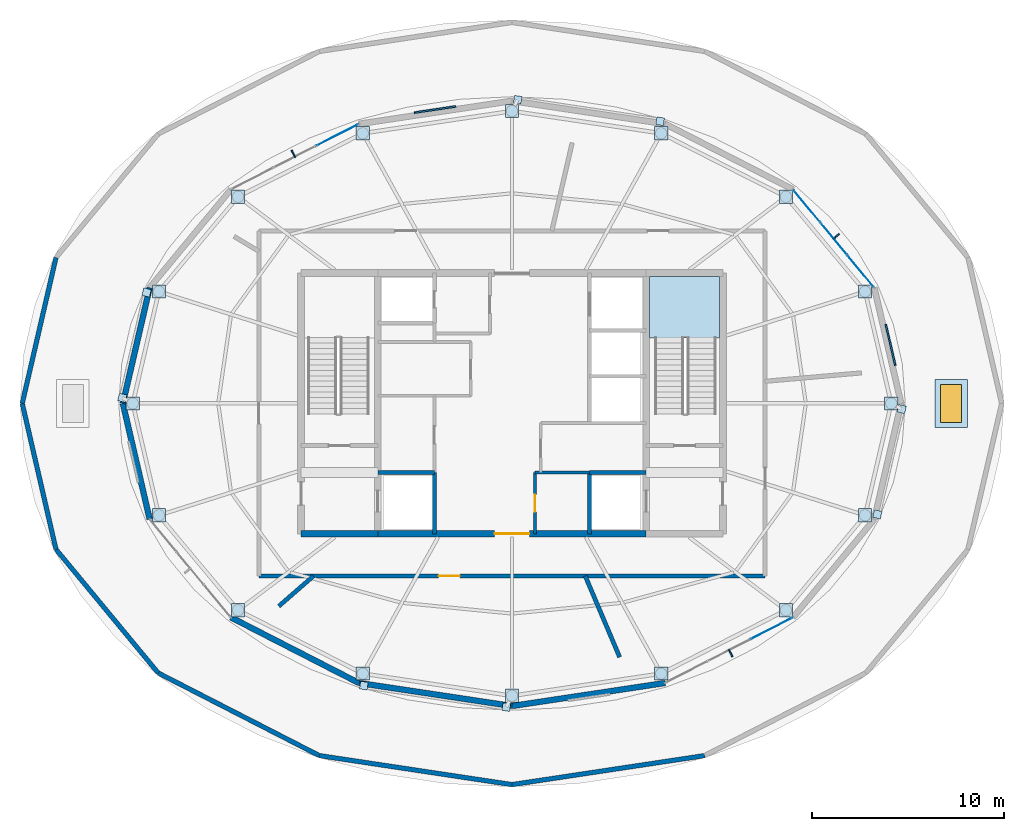
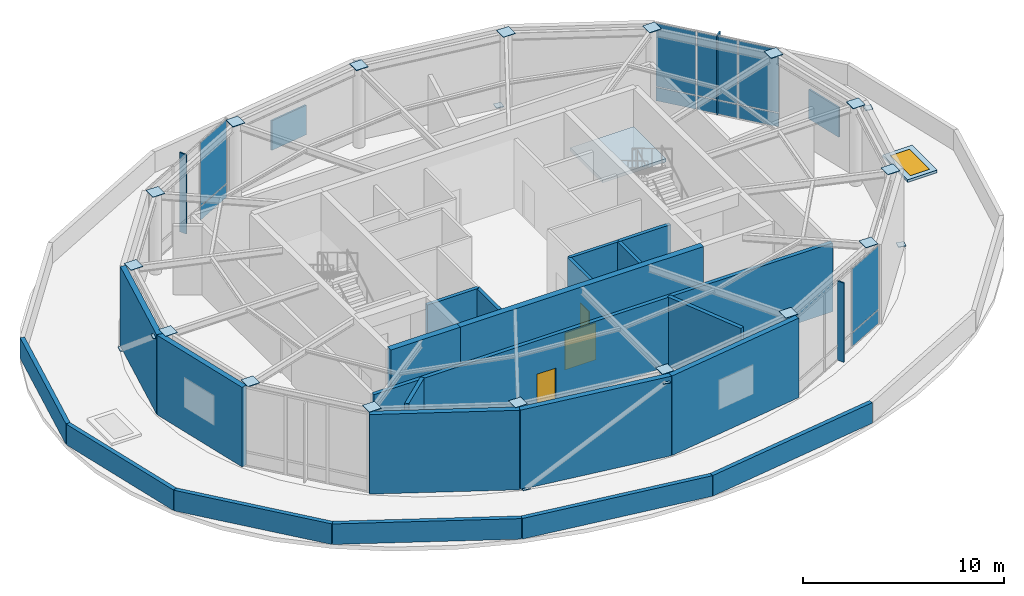
# One storey, part 12 of 15: 39 plates, 22 walls, 4 doors, 2 slabs, 4 openings, 4 elements without a shape of their own.
"""IFC4 building model written with IfcOpenShell, lengths in metres."""

from ifc_helpers import new_model, si_unit, direction, frame, frame_2d, origin, origin_2d, place, context, subcontext, project, spatial, polyline, rectangle, outline, extrude, material, layer, layer_set, type_object, element, fill, aggregate, save


model = new_model("IFC4")

# Units and contexts
model_context = context("Model", 3, precision=1e-05, world=origin(), true_north=direction((0.0, 1.0)))
body_context = subcontext(model_context, "Body", "Model", "MODEL_VIEW")
ifc_project = project(units=[si_unit("LENGTHUNIT", "METRE"), si_unit("AREAUNIT", "SQUARE_METRE"), si_unit("VOLUMEUNIT", "CUBIC_METRE"), si_unit("PLANEANGLEUNIT", "RADIAN"), si_unit("MASSUNIT", "GRAM", prefix="KILO")], contexts=[model_context])

# Site, building, storey
site_placement = place(None, origin())
site = spatial("IfcSite", under=ifc_project, at=site_placement, CompositionType="ELEMENT")
building_placement = place(site_placement, origin())
building = spatial("IfcBuilding", under=site, at=building_placement, Name="Sarneth Arch Tower", CompositionType="ELEMENT")
storey_placement = place(building_placement, frame((0.0, 0.0, 316.5)))
storey = spatial("IfcBuildingStorey", under=building, at=storey_placement, Name="L82", CompositionType="ELEMENT", Elevation=316.5)

# Curtain wall, plates
ifc_material_1 = material(Name="Anodised aluminium Type AA25 and solar-control low-e laminated IGU", Category="aluminium")
ifc_layer_1 = layer(ifc_material_1, 0.18994140625)
ifc_layer_set_1 = layer_set([ifc_layer_1], Name="Anodised aluminium Type AA25 and solar-control low-e laminated IGU")
curtain_wall_type = type_object("IfcCurtainWallType", Name="CW-CROWN-DRUM", PredefinedType="NOTDEFINED", material=ifc_layer_set_1)
curtain_wall_1_placement = place(storey_placement, origin())
curtain_wall_1 = element("IfcCurtainWall", 1, at=curtain_wall_1_placement, inside=storey, type_object=curtain_wall_type, Name="L82 Unitised curtain wall facet 02", PredefinedType="NOTDEFINED")
ifc_material_2 = material(Name="Solar-control low-e laminated IGU", Category="glass")
ifc_layer_2 = layer(ifc_material_2, 0.028076171875)
ifc_layer_set_2 = layer_set([ifc_layer_2], Name="Solar-control low-e laminated IGU")
plate_type_1 = type_object("IfcPlateType", Name="CW-PANEL", PredefinedType="CURTAIN_PANEL", material=ifc_layer_set_2)
plate_1_placement = place(storey_placement, frame((66.181640625, 48.903564453125, 0.06005859375), z_axis=(0.0, 0.0, 1.0), x_axis=(-0.637504910728, 0.770446291962, 0.0)))
plate_1 = element("IfcPlate", 2, at=plate_1_placement, type_object=plate_type_1, Name="Curtain wall glazed vision pane CW-L82-F02/P00-00", PredefinedType="CURTAIN_PANEL", context=body_context, shape_type="SweptSolid", body=[
    extrude(rectangle(XDim=2.125, YDim=0.028076171875, at=origin_2d()), origin(), (0.0, 0.0, 1.0), 0.81005859375),
])
plate_2_placement = place(storey_placement, frame((66.181640625, 48.903564453125, 0.929931640625), z_axis=(0.0, 0.0, 1.0), x_axis=(-0.637504910728, 0.770446291962, 0.0)))
plate_2 = element("IfcPlate", 3, at=plate_2_placement, type_object=plate_type_1, Name="Curtain wall glazed vision pane CW-L82-F02/P00-01", PredefinedType="CURTAIN_PANEL", context=body_context, shape_type="SweptSolid", body=[
    extrude(rectangle(XDim=2.125, YDim=0.028076171875, at=origin_2d()), origin(), (0.0, 0.0, 1.0), 3.85009765625),
])
plate_3_placement = place(storey_placement, frame((64.779052734375, 50.598388671875, 0.06005859375), z_axis=(0.0, 0.0, 1.0), x_axis=(-0.637504910728, 0.770446291962, 0.0)))
plate_3 = element("IfcPlate", 4, at=plate_3_placement, type_object=plate_type_1, Name="Curtain wall glazed vision pane CW-L82-F02/P01-00", PredefinedType="CURTAIN_PANEL", context=body_context, shape_type="SweptSolid", body=[
    extrude(rectangle(XDim=2.155029296875, YDim=0.028076171875, at=origin_2d()), origin(), (0.0, 0.0, 1.0), 0.81005859375),
])
plate_4_placement = place(storey_placement, frame((64.779052734375, 50.598388671875, 0.929931640625), z_axis=(0.0, 0.0, 1.0), x_axis=(-0.637504910728, 0.770446291962, 0.0)))
plate_4 = element("IfcPlate", 5, at=plate_4_placement, type_object=plate_type_1, Name="Curtain wall glazed vision pane CW-L82-F02/P01-01", PredefinedType="CURTAIN_PANEL", context=body_context, shape_type="SweptSolid", body=[
    extrude(rectangle(XDim=2.155029296875, YDim=0.028076171875, at=origin_2d()), origin(), (0.0, 0.0, 1.0), 3.85009765625),
])
plate_5_placement = place(storey_placement, frame((63.376708984375, 52.29345703125, 0.06005859375), z_axis=(0.0, 0.0, 1.0), x_axis=(-0.637504910728, 0.770446291962, 0.0)))
plate_5 = element("IfcPlate", 6, at=plate_5_placement, type_object=plate_type_1, Name="Curtain wall glazed vision pane CW-L82-F02/P02-00", PredefinedType="CURTAIN_PANEL", context=body_context, shape_type="SweptSolid", body=[
    extrude(rectangle(XDim=2.125, YDim=0.028076171875, at=origin_2d()), origin(), (0.0, 0.0, 1.0), 0.81005859375),
])
plate_6_placement = place(storey_placement, frame((63.376708984375, 52.29345703125, 0.929931640625), z_axis=(0.0, 0.0, 1.0), x_axis=(-0.637504910728, 0.770446291962, 0.0)))
plate_6 = element("IfcPlate", 7, at=plate_6_placement, type_object=plate_type_1, Name="Curtain wall glazed vision pane CW-L82-F02/P02-01", PredefinedType="CURTAIN_PANEL", context=body_context, shape_type="SweptSolid", body=[
    extrude(rectangle(XDim=2.125, YDim=0.028076171875, at=origin_2d()), origin(), (0.0, 0.0, 1.0), 3.85009765625),
])
aggregate(curtain_wall_1, [plate_1, plate_2, plate_3, plate_4, plate_5, plate_6])

curtain_wall_2_placement = place(storey_placement, origin())
curtain_wall_2 = element("IfcCurtainWall", 8, at=curtain_wall_2_placement, inside=storey, type_object=curtain_wall_type, Name="L82 Unitised curtain wall facet 06", PredefinedType="NOTDEFINED")
plate_7_placement = place(storey_placement, frame((38.888427734375, 56.001953125, 0.06005859375), z_axis=(0.0, 0.0, 1.0), x_axis=(-0.8899590948, -0.456040359598, 0.0)))
plate_7 = element("IfcPlate", 9, at=plate_7_placement, type_object=plate_type_1, Name="Curtain wall glazed vision pane CW-L82-F06/P00-00", PredefinedType="CURTAIN_PANEL", context=body_context, shape_type="SweptSolid", body=[
    extrude(rectangle(XDim=2.41015625, YDim=0.028076171875, at=origin_2d()), origin(), (0.0, 0.0, 1.0), 0.81005859375),
])
plate_8_placement = place(storey_placement, frame((38.888427734375, 56.001953125, 0.929931640625), z_axis=(0.0, 0.0, 1.0), x_axis=(-0.8899590948, -0.456040359598, 0.0)))
plate_8 = element("IfcPlate", 10, at=plate_8_placement, type_object=plate_type_1, Name="Curtain wall glazed vision pane CW-L82-F06/P00-01", PredefinedType="CURTAIN_PANEL", context=body_context, shape_type="SweptSolid", body=[
    extrude(rectangle(XDim=2.41015625, YDim=0.028076171875, at=origin_2d()), origin(), (0.0, 0.0, 1.0), 3.85009765625),
])
aggregate(curtain_wall_2, [plate_7, plate_8])

curtain_wall_3_placement = place(storey_placement, origin())
curtain_wall_3 = element("IfcCurtainWall", 11, at=curtain_wall_3_placement, inside=storey, type_object=curtain_wall_type, Name="L82 Unitised curtain wall facet 14", PredefinedType="NOTDEFINED")
plate_9_placement = place(storey_placement, frame((61.53515625, 30.264892578125, 0.06005859375), z_axis=(0.0, 0.0, 1.0), x_axis=(0.8899590948, 0.456040359598, 0.0)))
plate_9 = element("IfcPlate", 12, at=plate_9_placement, type_object=plate_type_1, Name="Curtain wall glazed vision pane CW-L82-F14/P02-00", PredefinedType="CURTAIN_PANEL", context=body_context, shape_type="SweptSolid", body=[
    extrude(rectangle(XDim=2.41015625, YDim=0.028076171875, at=origin_2d()), origin(), (0.0, 0.0, 1.0), 0.81005859375),
])
plate_10_placement = place(storey_placement, frame((61.53515625, 30.264892578125, 0.929931640625), z_axis=(0.0, 0.0, 1.0), x_axis=(0.8899590948, 0.456040359598, 0.0)))
plate_10 = element("IfcPlate", 13, at=plate_10_placement, type_object=plate_type_1, Name="Curtain wall glazed vision pane CW-L82-F14/P02-01", PredefinedType="CURTAIN_PANEL", context=body_context, shape_type="SweptSolid", body=[
    extrude(rectangle(XDim=2.41015625, YDim=0.028076171875, at=origin_2d()), origin(), (0.0, 0.0, 1.0), 3.85009765625),
])
aggregate(curtain_wall_3, [plate_9, plate_10])

# Plates
ifc_material_3 = material(Name="Powder-coated Aluminium 6063-T6 stormproof acoustic louvre", Category="aluminium")
ifc_layer_3 = layer(ifc_material_3, 0.094970703125)
ifc_layer_set_3 = layer_set([ifc_layer_3], Name="Powder-coated Aluminium 6063-T6 stormproof acoustic louvre")
plate_type_2 = type_object("IfcPlateType", Name="LOUVRE-PLANT", PredefinedType="SHEET", material=ifc_layer_set_3)
for number, where, z_axis, x_axis, name in (
    (14, (67.742431640625, 45.05322265625, 1.52001953125), (0.0, 0.0, 1.0), (-0.2256312381, 0.974212781888, 0.0), "L82 Mechanical louvre 01"),
    (15, (43.98486328125, 57.32763671875, 1.52001953125), (0.0, 0.0, 1.0), (-0.988886498745, -0.148672433897, 0.0), "L82 Mechanical louvre 05"),
):
    element("IfcPlate", number, at=place(storey_placement, frame(where, z_axis=z_axis, x_axis=x_axis)), inside=storey, type_object=plate_type_2, Name=name, PredefinedType="SHEET", context=body_context, shape_type="SweptSolid", body=[
        extrude(rectangle(XDim=2.199951171875, YDim=0.094970703125, at=origin_2d()), origin(), (0.0, 0.0, 1.0), 1.800048828125),
    ])
ifc_material_4 = material(Name="Steel S355", Category="steel")
ifc_layer_4 = layer(ifc_material_4, 0.035888671875)
ifc_layer_set_4 = layer_set([ifc_layer_4], Name="Steel S355")
plate_type_3 = type_object("IfcPlateType", Name="PLT-GUSSET-30", PredefinedType="SHEET", material=ifc_layer_set_4)
for number, where, z_axis, x_axis, name in (
    (16, (55.727294921875, 56.7158203125, 0.001953125), (0.0, 0.0, 1.0), (-0.98883454203, 0.149017611339, 0.0), "Steel end cap plate GP-1"),
    (17, (48.296630859375, 57.835205078125, 4.54443359375), (0.0, 0.0, 1.0), (-0.98883454203, 0.149017611339, 0.0), "Steel end cap plate GP-1"),
    (18, (28.94482421875, 47.78466796875, 0.001953125), (0.0, 0.0, 1.0), (-0.225291159947, -0.974291482694, 0.0), "Steel end cap plate GP-1"),
    (19, (27.675048828125, 42.292236328125, 4.54443359375), (0.0, 0.0, 1.0), (-0.225291159947, -0.974291482694, 0.0), "Steel end cap plate GP-1"),
    (20, (40.272705078125, 27.2841796875, 0.001953125), (0.0, 0.0, 1.0), (0.98883454203, -0.149017611339, 0.0), "Steel end cap plate GP-1"),
    (21, (47.703369140625, 26.164794921875, 4.54443359375), (0.0, 0.0, 1.0), (0.98883454203, -0.149017611339, 0.0), "Steel end cap plate GP-1"),
    (22, (67.05517578125, 36.21533203125, 0.001953125), (0.0, 0.0, 1.0), (0.225291159947, 0.974291482694, 0.0), "Steel end cap plate GP-1"),
    (23, (68.324951171875, 41.707763671875, 4.54443359375), (0.0, 0.0, 1.0), (0.225291159947, 0.974291482694, 0.0), "Steel end cap plate GP-1"),
):
    element("IfcPlate", number, at=place(storey_placement, frame(where, z_axis=z_axis, x_axis=x_axis)), inside=storey, type_object=plate_type_3, Name=name, PredefinedType="SHEET", context=body_context, shape_type="SweptSolid", body=[
        extrude(rectangle(XDim=0.404052734375, YDim=0.404052734375, at=origin_2d()), origin(), (0.0, 0.0, 1.0), 0.035888671875),
    ])
ifc_material_5 = material(Name="Steel S355", Category="steel")
ifc_layer_5 = layer(ifc_material_5, 0.0400390625)
ifc_layer_set_5 = layer_set([ifc_layer_5], Name="Steel S355")
plate_type_4 = type_object("IfcPlateType", Name="PLT-SPLICE-40", PredefinedType="SHEET", material=ifc_layer_set_5)
for number, where, z_axis, x_axis, name in (
    (24, (67.7802734375, 42.0, 4.822265625), (0.0, 0.0, 1.0), (1.0, 0.0, 0.0), "Steel end cap plate GP-2"),
    (25, (66.41748046875, 47.8359375, 4.822265625), (0.0, 0.0, 1.0), (1.0, 0.0, 0.0), "Steel end cap plate GP-2"),
    (26, (62.288818359375, 52.783447265625, 4.822265625), (0.0, 0.0, 1.0), (1.0, 0.0, 0.0), "Steel end cap plate GP-2"),
    (27, (55.782958984375, 56.089111328125, 4.822265625), (0.0, 0.0, 1.0), (1.0, 0.0, 0.0), "Steel end cap plate GP-2"),
    (28, (48.0, 57.25, 4.822265625), (0.0, 0.0, 1.0), (1.0, 0.0, 0.0), "Steel end cap plate GP-2"),
    (29, (40.217041015625, 56.089111328125, 4.822265625), (0.0, 0.0, 1.0), (1.0, 0.0, 0.0), "Steel end cap plate GP-2"),
    (30, (33.711181640625, 52.783447265625, 4.822265625), (0.0, 0.0, 1.0), (1.0, 0.0, 0.0), "Steel end cap plate GP-2"),
    (31, (29.58251953125, 47.8359375, 4.822265625), (0.0, 0.0, 1.0), (1.0, 0.0, 0.0), "Steel end cap plate GP-2"),
    (32, (28.2197265625, 42.0, 4.822265625), (0.0, 0.0, 1.0), (1.0, 0.0, 0.0), "Steel end cap plate GP-2"),
    (33, (29.58251953125, 36.1640625, 4.822265625), (0.0, 0.0, 1.0), (1.0, 0.0, 0.0), "Steel end cap plate GP-2"),
    (34, (33.711181640625, 31.216552734375, 4.822265625), (0.0, 0.0, 1.0), (1.0, 0.0, 0.0), "Steel end cap plate GP-2"),
    (35, (40.217041015625, 27.910888671875, 4.822265625), (0.0, 0.0, 1.0), (1.0, 0.0, 0.0), "Steel end cap plate GP-2"),
    (36, (48.0, 26.75, 4.822265625), (0.0, 0.0, 1.0), (1.0, 0.0, 0.0), "Steel end cap plate GP-2"),
    (37, (55.782958984375, 27.910888671875, 4.822265625), (0.0, 0.0, 1.0), (1.0, 0.0, 0.0), "Steel end cap plate GP-2"),
    (38, (62.288818359375, 31.216552734375, 4.822265625), (0.0, 0.0, 1.0), (1.0, 0.0, 0.0), "Steel end cap plate GP-2"),
    (39, (66.41748046875, 36.1640625, 4.822265625), (0.0, 0.0, 1.0), (1.0, 0.0, 0.0), "Steel end cap plate GP-2"),
):
    element("IfcPlate", number, at=place(storey_placement, frame(where, z_axis=z_axis, x_axis=x_axis)), inside=storey, type_object=plate_type_4, Name=name, PredefinedType="SHEET", context=body_context, shape_type="SweptSolid", body=[
        extrude(rectangle(XDim=0.68994140625, YDim=0.68994140625, at=origin_2d()), origin(), (0.0, 0.0, 1.0), 0.035888671875),
    ])
ifc_material_6 = material(Name="Extruded glazed terracotta baguette fin on Aluminium 6063-T6 carrier", Category="masonry")
ifc_layer_6 = layer(ifc_material_6, 0.080078125)
ifc_layer_set_6 = layer_set([ifc_layer_6], Name="Extruded glazed terracotta baguette fin on Aluminium 6063-T6 carrier")
plate_type_5 = type_object("IfcPlateType", Name="SHADE-TERRA-FIN", PredefinedType="SHEET", material=ifc_layer_set_6)
for number, where, z_axis, x_axis, name in (
    (40, (64.91015625, 50.706787109375, 0.009765625), (0.0, 0.0, 1.0), (0.770401979567, 0.63755845997, 0.0), "L82 Terracotta vertical shading fin 02"),
    (41, (36.59912109375, 55.019775390625, 0.009765625), (0.0, 0.0, 1.0), (-0.456010959102, 0.889974159838, 0.0), "L82 Terracotta vertical shading fin 06"),
    (42, (59.40087890625, 28.980224609375, 0.009765625), (0.0, 0.0, 1.0), (0.456010959102, -0.889974159838, 0.0), "L82 Terracotta vertical shading fin 14"),
):
    element("IfcPlate", number, at=place(storey_placement, frame(where, z_axis=z_axis, x_axis=x_axis)), inside=storey, type_object=plate_type_5, Name=name, PredefinedType="SHEET", context=body_context, shape_type="SweptSolid", body=[
        extrude(rectangle(XDim=0.419921875, YDim=0.080078125, at=origin_2d()), origin(), (0.0, 0.0, 1.0), 4.820068359375),
    ])

# Slab, opening, door
ifc_material_7 = material(Name="Concrete C50/60", Category="concrete")
ifc_layer_7 = layer(ifc_material_7, 0.159912109375)
ifc_layer_set_7 = layer_set([ifc_layer_7], Name="Concrete C50/60")
slab_type_1 = type_object("IfcSlabType", Name="SLAB-KERB-160", PredefinedType="ROOF", material=ifc_layer_set_7)
slab_1_placement = place(storey_placement, origin())
slab_1 = element("IfcSlab", 43, at=slab_1_placement, inside=storey, type_object=slab_type_1, Name="L82 Roof hatch upstand kerb HATCH-L82-SET", PredefinedType="ROOF", context=body_context, shape_type="SweptSolid", body=[
    extrude(outline(polyline([(70.050048828125, 40.75), (71.75, 40.75), (71.75, 43.25), (70.050048828125, 43.25), (70.050048828125, 40.75)]), holes=[polyline([(70.35009765625, 41.0), (71.449951171875, 41.0), (71.449951171875, 43.0), (70.35009765625, 43.0), (70.35009765625, 41.0)])]), origin(), (0.0, 0.0, 1.0), 0.159912109375),
])
opening_1_placement = place(slab_1_placement, frame((70.89990234375, 42.0, 0.0)))
opening_1 = element("IfcOpeningElement", 44, at=opening_1_placement, cuts=slab_1, Name="Opening RH-1", PredefinedType="OPENING", context=body_context, shape_type="SweptSolid", body=[
    extrude(rectangle(XDim=1.10009765625, YDim=2.0, at=origin_2d()), origin(), (0.0, 0.0, 1.0), 0.159912109375),
])
ifc_material_8 = material(Name="Thermally broken Aluminium 6063-T6 and laminated safety glass", Category="aluminium")
door_type_1 = type_object("IfcDoorType", Name="DR-ROOF-HATCH", OperationType="SINGLE_SWING_LEFT", PredefinedType="TRAPDOOR", material=ifc_material_8)
door_1_placement = place(opening_1_placement, frame((0.0, 0.0, 0.10986328125)))
door_1 = element("IfcDoor", 45, at=door_1_placement, inside=storey, type_object=door_type_1, Name="L82 Maintenance Roof Access Hatch HATCH-L82-SET", OperationType="SINGLE_SWING_LEFT", OverallHeight=2.0, OverallWidth=1.10009765625, PredefinedType="TRAPDOOR", context=body_context, shape_type="SweptSolid", body=[
    extrude(rectangle(XDim=1.10009765625, YDim=2.0, at=origin_2d()), origin(), (0.0, 0.0, 1.0), 0.050048828125),
])
fill(opening_1, door_1)

# Stair, slab
ifc_material_9 = material(Name="Concrete C50/60", Category="concrete")
stair_type = type_object("IfcStairType", Name="STAIR-CORE-RC", PredefinedType="HALF_TURN_STAIR", material=ifc_material_9)
stair_placement = place(storey_placement, origin())
stair = element("IfcStair", 46, at=stair_placement, inside=storey, type_object=stair_type, Name="L82 Core Exit Stair 2", PredefinedType="HALF_TURN_STAIR")
ifc_material_10 = material(Name="Concrete C50/60", Category="concrete")
ifc_layer_8 = layer(ifc_material_10, 0.199951171875)
ifc_layer_set_8 = layer_set([ifc_layer_8], Name="Concrete C50/60")
slab_type_2 = type_object("IfcSlabType", Name="SLAB-LANDING-200", PredefinedType="LANDING", material=ifc_layer_set_8)
slab_2_placement = place(storey_placement, frame((0.0, 0.0, 2.35009765625)))
slab_2 = element("IfcSlab", 47, at=slab_2_placement, type_object=slab_type_2, Name="ST-2 landing 1", PredefinedType="LANDING", context=body_context, shape_type="SweptSolid", body=[
    extrude(outline(polyline([(55.175048828125, 45.409912109375), (58.824951171875, 45.409912109375), (58.824951171875, 48.625), (55.175048828125, 48.625), (55.175048828125, 45.409912109375)])), origin(), (0.0, 0.0, 1.0), 0.199951171875),
])
aggregate(stair, [slab_2])

# Wall
ifc_material_11 = material(Name="Concrete C50/60", Category="concrete")
ifc_layer_9 = layer(ifc_material_11, 0.35009765625)
ifc_layer_set_9 = layer_set([ifc_layer_9], Name="Concrete C50/60")
wall_type_1 = type_object("IfcWallType", Name="WALL-CORE-350", PredefinedType="SHEAR", material=ifc_layer_set_9)
wall_1_placement = place(storey_placement, frame((37.0, 35.199951171875, 0.0), z_axis=(0.0, 0.0, 1.0), x_axis=(1.0, 0.0, 0.0)))
element("IfcWall", 48, at=wall_1_placement, inside=storey, type_object=wall_type_1, Name="L82 Core shear wall S-W", PredefinedType="SHEAR", context=body_context, shape_type="SweptSolid", body=[
    extrude(rectangle(XDim=4.0, YDim=0.35009765625, at=frame_2d((2.0, 0.0))), origin(), (0.0, 0.0, 1.0), 4.840087890625),
])

# Wall, opening, door
wall_2_placement = place(storey_placement, frame((41.0, 35.199951171875, 0.0), z_axis=(0.0, 0.0, 1.0), x_axis=(1.0, 0.0, 0.0)))
wall_2 = element("IfcWall", 49, at=wall_2_placement, inside=storey, type_object=wall_type_1, Name="L82 Core shear wall S-M", PredefinedType="SHEAR", context=body_context, shape_type="SweptSolid", body=[
    extrude(rectangle(XDim=14.0, YDim=0.35009765625, at=frame_2d((7.0, 0.0))), origin(), (0.0, 0.0, 1.0), 4.840087890625),
])
opening_2_placement = place(wall_2_placement, frame((6.10009765625, 0.0, 0.0)))
opening_2 = element("IfcOpeningElement", 50, at=opening_2_placement, cuts=wall_2, Name="Opening FD-01", PredefinedType="OPENING", context=body_context, shape_type="SweptSolid", body=[
    extrude(rectangle(XDim=1.800048828125, YDim=2.25, at=frame_2d((0.89990234375, 1.125))), frame((0.0, 0.18505859375, 0.0), z_axis=(0.0, -1.0, 0.0), x_axis=(1.0, 0.0, 0.0)), (0.0, 0.0, 1.0), 0.3701171875),
])
ifc_material_12 = material(Name="Galvanised Steel S275 fire door set", Category="steel")
door_type_2 = type_object("IfcDoorType", Name="DR-FD90-1800", OperationType="DOUBLE_DOOR_SINGLE_SWING", PredefinedType="DOOR", material=ifc_material_12)
door_2_placement = place(opening_2_placement, origin())
door_2 = element("IfcDoor", 51, at=door_2_placement, inside=storey, type_object=door_type_2, Name="L82 Central lift lobby south door", OperationType="DOUBLE_DOOR_SINGLE_SWING", OverallHeight=2.25, OverallWidth=1.800048828125, PredefinedType="DOOR", context=body_context, shape_type="SweptSolid", body=[
    extrude(rectangle(XDim=1.800048828125, YDim=2.25, at=frame_2d((0.89990234375, 1.125))), frame((0.0, 0.02490234375, 0.0), z_axis=(0.0, -1.0, 0.0), x_axis=(1.0, 0.0, 0.0)), (0.0, 0.0, 1.0), 0.050048828125),
])
fill(opening_2, door_2)

# Walls
ifc_material_13 = material(Name="Extruded terracotta rainscreen on Concrete C40/50 backing", Category="masonry")
ifc_layer_10 = layer(ifc_material_13, 0.300048828125)
ifc_layer_set_10 = layer_set([ifc_layer_10], Name="Extruded terracotta rainscreen on Concrete C40/50 backing")
wall_type_2 = type_object("IfcWallType", Name="WALL-EXT-ACOUST-300", PredefinedType="SOLIDWALL", material=ifc_layer_set_10)
for number, where, z_axis, x_axis, name in (
    (52, (29.10302734375, 48.038818359375, 0.0), (0.0, 0.0, 1.0), (-0.225604460723, -0.974218983238, 0.0), "L82 Terracotta perimeter wall 08"),
    (53, (27.70458984375, 42.0, 0.0), (0.0, 0.0, 1.0), (0.225604460723, -0.974218983238, 0.0), "L82 Terracotta perimeter wall 09"),
):
    element("IfcWall", number, at=place(storey_placement, frame(where, z_axis=z_axis, x_axis=x_axis)), inside=storey, type_object=wall_type_2, Name=name, PredefinedType="SOLIDWALL", context=body_context, shape_type="SweptSolid", body=[
        extrude(rectangle(XDim=6.19873046875, YDim=0.300048828125, at=frame_2d((3.099365234375, 0.0))), origin(), (0.0, 0.0, 1.0), 4.840087890625),
    ])
wall_3_placement = place(storey_placement, frame((33.3388671875, 30.841796875, 0.0), z_axis=(0.0, 0.0, 1.0), x_axis=(0.889963468701, -0.456031823866, 0.0)))
element("IfcWall", 54, at=wall_3_placement, inside=storey, type_object=wall_type_2, Name="L82 Terracotta perimeter wall 11", PredefinedType="SOLIDWALL", context=body_context, shape_type="SweptSolid", body=[
    extrude(rectangle(XDim=7.5009765625, YDim=0.300048828125, at=frame_2d((3.75048828125, 0.0))), origin(), (0.0, 0.0, 1.0), 4.840087890625),
])
for number, where, z_axis, x_axis, name in (
    (55, (40.014404296875, 27.421142578125, 0.0), (0.0, 0.0, 1.0), (0.988875731541, -0.148744033727, 0.0), "L82 Terracotta perimeter wall 12"),
    (56, (48.0, 26.219970703125, 0.0), (0.0, 0.0, 1.0), (0.988875731541, 0.148744033727, 0.0), "L82 Terracotta perimeter wall 13"),
):
    element("IfcWall", number, at=place(storey_placement, frame(where, z_axis=z_axis, x_axis=x_axis)), inside=storey, type_object=wall_type_2, Name=name, PredefinedType="SOLIDWALL", context=body_context, shape_type="SweptSolid", body=[
        extrude(rectangle(XDim=8.075439453125, YDim=0.300048828125, at=frame_2d((4.03759765625, 0.0))), origin(), (0.0, 0.0, 1.0), 4.840087890625),
    ])

# Wall, opening, door
ifc_material_14 = material(Name="Aerated concrete blockwork C25/30", Category="masonry")
ifc_layer_11 = layer(ifc_material_14, 0.219970703125)
ifc_layer_set_11 = layer_set([ifc_layer_11], Name="Aerated concrete blockwork C25/30")
wall_type_3 = type_object("IfcWallType", Name="WALL-FIRE-220", PredefinedType="SOLIDWALL", material=ifc_layer_set_11)
wall_4_placement = place(storey_placement, frame((61.199951171875, 33.0, 0.0), z_axis=(0.0, 0.0, 1.0), x_axis=(-1.0, 0.0, 0.0)))
wall_4 = element("IfcWall", 57, at=wall_4_placement, inside=storey, type_object=wall_type_3, Name="L82 Interior partition W-L82-TP-007", PredefinedType="SOLIDWALL", context=body_context, shape_type="SweptSolid", body=[
    extrude(rectangle(XDim=26.39990234375, YDim=0.219970703125, at=frame_2d((13.199951171875, 0.0))), origin(), (0.0, 0.0, 1.0), 4.18994140625),
])
opening_3_placement = place(wall_4_placement, frame((15.923583984375, 0.0, 0.0)))
opening_3 = element("IfcOpeningElement", 58, at=opening_3_placement, cuts=wall_4, Name="Opening FD-03", PredefinedType="OPENING", context=body_context, shape_type="SweptSolid", body=[
    extrude(rectangle(XDim=1.10009765625, YDim=2.14990234375, at=frame_2d((0.550048828125, 1.074951171875))), frame((0.0, 0.119873046875, 0.0), z_axis=(0.0, -1.0, 0.0), x_axis=(1.0, 0.0, 0.0)), (0.0, 0.0, 1.0), 0.239990234375),
])
ifc_material_15 = material(Name="Galvanised Steel S275 fire door set", Category="steel")
door_type_3 = type_object("IfcDoorType", Name="DR-FD90-1100", OperationType="SINGLE_SWING_LEFT", PredefinedType="DOOR", material=ifc_material_15)
door_3_placement = place(opening_3_placement, origin())
door_3 = element("IfcDoor", 59, at=door_3_placement, inside=storey, type_object=door_type_3, Name="L82 Interior door DR-L82-PSEC-4", OperationType="SINGLE_SWING_LEFT", OverallHeight=2.14990234375, OverallWidth=1.10009765625, PredefinedType="DOOR", context=body_context, shape_type="SweptSolid", body=[
    extrude(rectangle(XDim=1.10009765625, YDim=2.14990234375, at=frame_2d((0.550048828125, 1.074951171875))), frame((0.0, 0.02490234375, 0.0), z_axis=(0.0, -1.0, 0.0), x_axis=(1.0, 0.0, 0.0)), (0.0, 0.0, 1.0), 0.050048828125),
])
fill(opening_3, door_3)

# Walls
wall_5_placement = place(storey_placement, frame((51.8203125, 33.0, 0.0), z_axis=(0.0, 0.0, 1.0), x_axis=(0.390710840431, -0.920513464958, 0.0)))
element("IfcWall", 60, at=wall_5_placement, inside=storey, type_object=wall_type_3, Name="L82 Interior partition W-L82-TP-014", PredefinedType="SOLIDWALL", context=body_context, shape_type="SweptSolid", body=[
    extrude(rectangle(XDim=4.59521484375, YDim=0.219970703125, at=frame_2d((2.297607421875, 0.0))), origin(), (0.0, 0.0, 1.0), 4.18994140625),
])
wall_6_placement = place(storey_placement, frame((35.8369140625, 31.4267578125, 0.0), z_axis=(0.0, 0.0, 1.0), x_axis=(0.754710718835, 0.656057719165, 0.0)))
element("IfcWall", 61, at=wall_6_placement, inside=storey, type_object=wall_type_3, Name="L82 Interior partition W-L82-TP-013", PredefinedType="SOLIDWALL", context=body_context, shape_type="SweptSolid", body=[
    extrude(rectangle(XDim=2.39794921875, YDim=0.219970703125, at=frame_2d((1.198974609375, 0.0))), origin(), (0.0, 0.0, 1.0), 4.18994140625),
])
ifc_material_16 = material(Name="Extruded terracotta rainscreen on Concrete C40/50 backing", Category="masonry")
ifc_layer_12 = layer(ifc_material_16, 0.239990234375)
ifc_layer_set_12 = layer_set([ifc_layer_12], Name="Extruded terracotta rainscreen on Concrete C40/50 backing")
wall_type_4 = type_object("IfcWallType", Name="WALL-PARAPET-240", PredefinedType="PARAPET", material=ifc_layer_set_12)
for number, where, z_axis, x_axis, name in (
    (62, (24.2158203125, 49.607666015625, 0.0), (0.0, 0.0, 1.0), (-0.22539379869, -0.974267743237, 0.0), "L82 Setback roof parapet 08"),
    (63, (22.455810546875, 42.0, 0.0), (0.0, 0.0, 1.0), (0.22539379869, -0.974267743237, 0.0), "L82 Setback roof parapet 09"),
):
    element("IfcWall", number, at=place(storey_placement, frame(where, z_axis=z_axis, x_axis=x_axis)), inside=storey, type_object=wall_type_4, Name=name, PredefinedType="PARAPET", context=body_context, shape_type="SweptSolid", body=[
        extrude(rectangle(XDim=7.80859375, YDim=0.239990234375, at=frame_2d((3.904296875, 0.0))), origin(), (0.0, 0.0, 1.0), 1.25),
    ])
wall_7_placement = place(storey_placement, frame((24.2158203125, 34.392333984375, 0.0), z_axis=(0.0, 0.0, 1.0), x_axis=(0.637131731546, -0.770754926457, 0.0)))
element("IfcWall", 64, at=wall_7_placement, inside=storey, type_object=wall_type_4, Name="L82 Setback roof parapet 10", PredefinedType="PARAPET", context=body_context, shape_type="SweptSolid", body=[
    extrude(rectangle(XDim=8.367919921875, YDim=0.239990234375, at=frame_2d((4.18408203125, 0.0))), origin(), (0.0, 0.0, 1.0), 1.25),
])
wall_8_placement = place(storey_placement, frame((29.54736328125, 27.942626953125, 0.0), z_axis=(0.0, 0.0, 1.0), x_axis=(0.88978811959, -0.456373862349, 0.0)))
element("IfcWall", 65, at=wall_8_placement, inside=storey, type_object=wall_type_4, Name="L82 Setback roof parapet 11", PredefinedType="PARAPET", context=body_context, shape_type="SweptSolid", body=[
    extrude(rectangle(XDim=9.442626953125, YDim=0.239990234375, at=frame_2d((4.72119140625, 0.0))), origin(), (0.0, 0.0, 1.0), 1.25),
])
for number, where, z_axis, x_axis, name in (
    (66, (37.94921875, 23.63330078125, 0.0), (0.0, 0.0, 1.0), (0.988855867052, -0.148876036339, 0.0), "L82 Setback roof parapet 12"),
    (67, (48.0, 22.1201171875, 0.0), (0.0, 0.0, 1.0), (0.988855867052, 0.148876036339, 0.0), "L82 Setback roof parapet 13"),
):
    element("IfcWall", number, at=place(storey_placement, frame(where, z_axis=z_axis, x_axis=x_axis)), inside=storey, type_object=wall_type_4, Name=name, PredefinedType="PARAPET", context=body_context, shape_type="SweptSolid", body=[
        extrude(rectangle(XDim=10.1640625, YDim=0.239990234375, at=frame_2d((5.08203125, 0.0))), origin(), (0.0, 0.0, 1.0), 1.25),
    ])
ifc_material_17 = material(Name="Moisture-resistant plumbing chase wall", Category="gypsum")
ifc_layer_13 = layer(ifc_material_17, 0.179931640625)
ifc_layer_set_13 = layer_set([ifc_layer_13], Name="Moisture-resistant plumbing chase wall")
wall_type_5 = type_object("IfcWallType", Name="WALL-PLUMB-180", PredefinedType="PLUMBINGWALL", material=ifc_layer_set_13)
wall_9_placement = place(storey_placement, frame((49.199951171875, 38.39990234375, 0.0), z_axis=(0.0, 0.0, 1.0), x_axis=(1.0, 0.0, 0.0)))
element("IfcWall", 68, at=wall_9_placement, inside=storey, type_object=wall_type_5, Name="L82 Interior partition W-L82-AWC-N", PredefinedType="PLUMBINGWALL", context=body_context, shape_type="SweptSolid", body=[
    extrude(rectangle(XDim=2.85009765625, YDim=0.179931640625, at=frame_2d((1.425048828125, 0.0))), origin(), (0.0, 0.0, 1.0), 4.18994140625),
])

# Wall, opening, door
wall_10_placement = place(storey_placement, frame((49.199951171875, 35.199951171875, 0.0), z_axis=(0.0, 0.0, 1.0), x_axis=(0.0, 1.0, 0.0)))
wall_10 = element("IfcWall", 69, at=wall_10_placement, inside=storey, type_object=wall_type_5, Name="L82 Interior partition W-L82-AWC-W", PredefinedType="PLUMBINGWALL", context=body_context, shape_type="SweptSolid", body=[
    extrude(rectangle(XDim=3.199951171875, YDim=0.179931640625, at=frame_2d((1.60009765625, 0.0))), origin(), (0.0, 0.0, 1.0), 4.18994140625),
])
opening_4_placement = place(wall_10_placement, frame((1.14990234375, 0.0, 0.0)))
opening_4 = element("IfcOpeningElement", 70, at=opening_4_placement, cuts=wall_10, Name="Opening ID-01", PredefinedType="OPENING", context=body_context, shape_type="SweptSolid", body=[
    extrude(rectangle(XDim=0.89990234375, YDim=2.10009765625, at=frame_2d((0.449951171875, 1.050048828125))), frame((0.0, 0.099853515625, 0.0), z_axis=(0.0, -1.0, 0.0), x_axis=(1.0, 0.0, 0.0)), (0.0, 0.0, 1.0), 0.199951171875),
])
ifc_material_18 = material(Name="Engineered hardwood flush door", Category="wood")
door_type_4 = type_object("IfcDoorType", Name="DR-INT-900", OperationType="SINGLE_SWING_LEFT", PredefinedType="DOOR", material=ifc_material_18)
door_4_placement = place(opening_4_placement, origin())
door_4 = element("IfcDoor", 71, at=door_4_placement, inside=storey, type_object=door_type_4, Name="L82 Interior door DR-L82-AWC", OperationType="SINGLE_SWING_RIGHT", OverallHeight=2.10009765625, OverallWidth=0.89990234375, PredefinedType="DOOR", context=body_context, shape_type="SweptSolid", body=[
    extrude(rectangle(XDim=0.89990234375, YDim=2.10009765625, at=frame_2d((0.449951171875, 1.050048828125))), frame((0.0, 0.02490234375, 0.0), z_axis=(0.0, -1.0, 0.0), x_axis=(1.0, 0.0, 0.0)), (0.0, 0.0, 1.0), 0.050048828125),
])
fill(opening_4, door_4)

# Walls
ifc_material_19 = material(Name="Aerated concrete blockwork C25/30", Category="masonry")
ifc_layer_14 = layer(ifc_material_19, 0.199951171875)
ifc_layer_set_14 = layer_set([ifc_layer_14], Name="Aerated concrete blockwork C25/30")
wall_type_6 = type_object("IfcWallType", Name="WALL-SHAFT-200", PredefinedType="SOLIDWALL", material=ifc_layer_set_14)
wall_11_placement = place(storey_placement, frame((43.949951171875, 35.199951171875, 0.0), z_axis=(0.0, 0.0, 1.0), x_axis=(0.0, 1.0, 0.0)))
element("IfcWall", 72, at=wall_11_placement, inside=storey, type_object=wall_type_6, Name="L82 Interior partition W-L82-FL1-E", PredefinedType="SOLIDWALL", context=body_context, shape_type="SweptSolid", body=[
    extrude(rectangle(XDim=3.199951171875, YDim=0.199951171875, at=frame_2d((1.60009765625, 0.0))), origin(), (0.0, 0.0, 1.0), 4.18994140625),
])
wall_12_placement = place(storey_placement, frame((41.0, 38.39990234375, 0.0), z_axis=(0.0, 0.0, 1.0), x_axis=(1.0, 0.0, 0.0)))
element("IfcWall", 73, at=wall_12_placement, inside=storey, type_object=wall_type_6, Name="L82 Interior partition W-L82-FL1-N", PredefinedType="SOLIDWALL", context=body_context, shape_type="SweptSolid", body=[
    extrude(rectangle(XDim=2.949951171875, YDim=0.199951171875, at=frame_2d((1.47509765625, 0.0))), origin(), (0.0, 0.0, 1.0), 4.18994140625),
])
wall_13_placement = place(storey_placement, frame((52.050048828125, 35.199951171875, 0.0), z_axis=(0.0, 0.0, 1.0), x_axis=(0.0, 1.0, 0.0)))
element("IfcWall", 74, at=wall_13_placement, inside=storey, type_object=wall_type_6, Name="L82 Interior partition W-L82-FL2-W", PredefinedType="SOLIDWALL", context=body_context, shape_type="SweptSolid", body=[
    extrude(rectangle(XDim=3.199951171875, YDim=0.199951171875, at=frame_2d((1.60009765625, 0.0))), origin(), (0.0, 0.0, 1.0), 4.18994140625),
])
wall_14_placement = place(storey_placement, frame((52.050048828125, 38.39990234375, 0.0), z_axis=(0.0, 0.0, 1.0), x_axis=(1.0, 0.0, 0.0)))
element("IfcWall", 75, at=wall_14_placement, inside=storey, type_object=wall_type_6, Name="L82 Interior partition W-L82-FL2-N", PredefinedType="SOLIDWALL", context=body_context, shape_type="SweptSolid", body=[
    extrude(rectangle(XDim=2.949951171875, YDim=0.199951171875, at=frame_2d((1.47509765625, 0.0))), origin(), (0.0, 0.0, 1.0), 4.18994140625),
])

save(model, "model.ifc")
